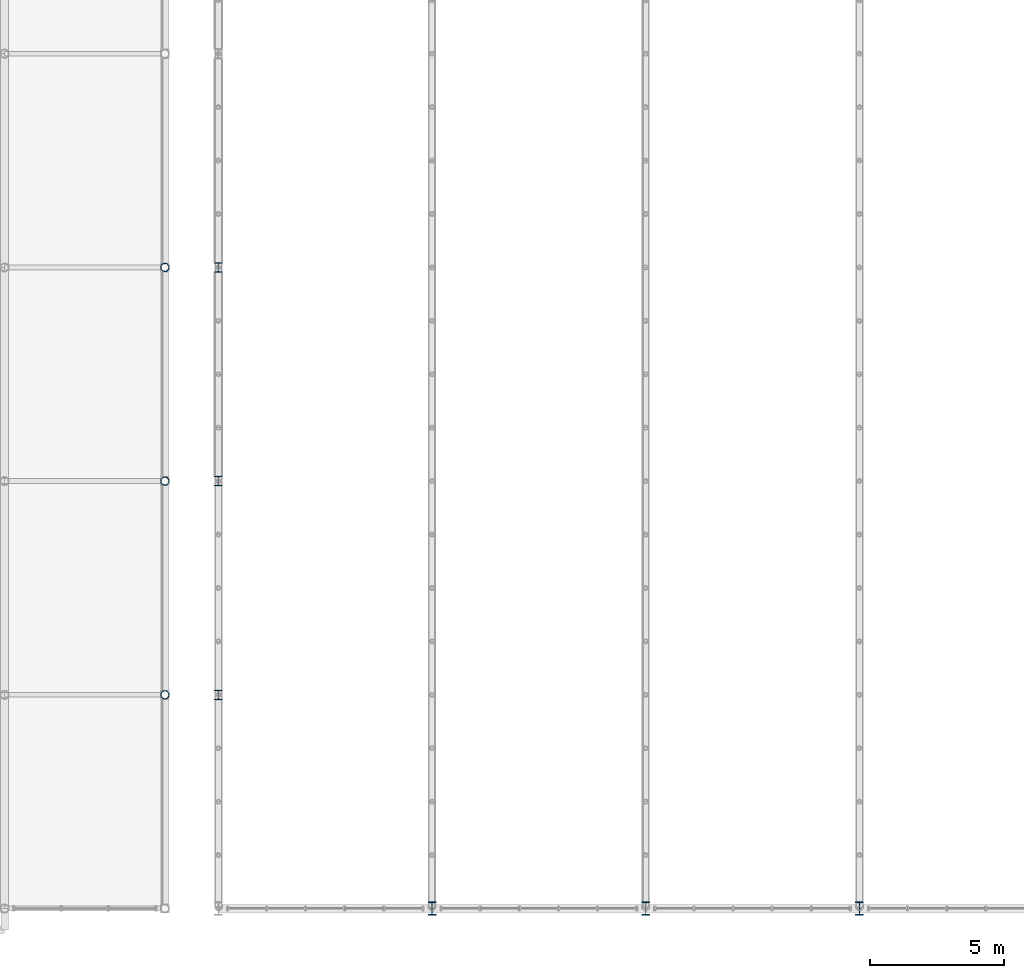
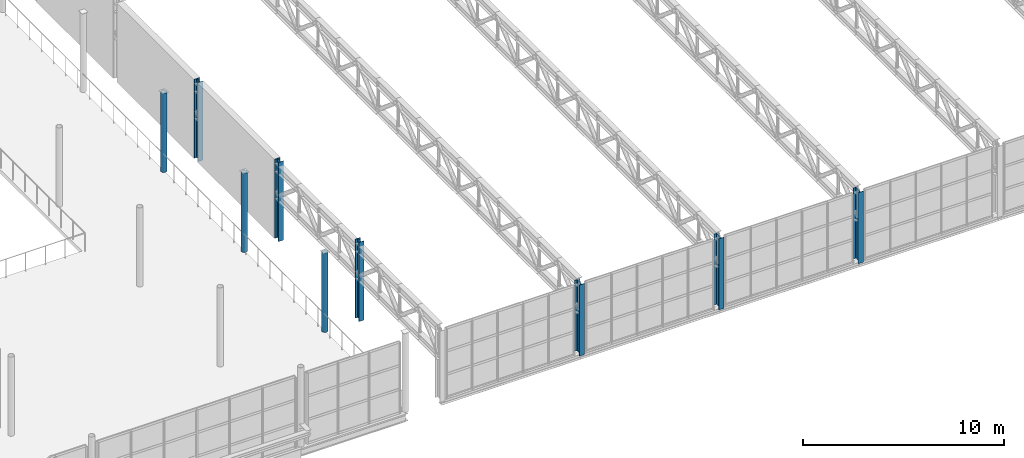
# One storey, part 6 of 143: 9 columns.
"""IFC4 building model written with IfcOpenShell, lengths in metres."""

import ifcopenshell
import ifcopenshell.guid

model = None  # the IFC model being written
_history = None  # IfcOwnerHistory: only IFC2X3 demands one
_inside = {}  # id of a spatial element -> (the spatial element, [elements in it])
_under = {}  # id of a project, library or spatial element -> (it, [spatial elements below it])
_declared = {}  # id of a project -> (the project, [libraries it declares])
_typed = {}  # id of a type object -> (the type object, [elements of that type])
_made_of = {}  # id of a material, layer set ... -> (it, [elements and type objects made of it])


def new_model(schema):
    """Start an empty IFC model of exactly this schema.

    Asked for "IFC4X3", IfcOpenShell would pick the latest addendum, in which some entities
    have other attributes; the version numbers below select the first issue.
    IFC2X3 requires an IfcOwnerHistory on every rooted entity: one is made here for all.
    """
    global model, _history
    if schema == "IFC4X3":
        model = ifcopenshell.file(schema_version=(4, 3, 0, 0))
    else:
        model = ifcopenshell.file(schema=schema)
    _inside.clear()
    _under.clear()
    _declared.clear()
    _typed.clear()
    _made_of.clear()
    _history = None
    if model.schema == "IFC2X3":
        org = make("IfcOrganization", Name="unknown")
        user = make(
            "IfcPersonAndOrganization",
            ThePerson=make("IfcPerson", FamilyName="unknown"),
            TheOrganization=org,
        )
        app = make(
            "IfcApplication",
            ApplicationDeveloper=org,
            Version="unknown",
            ApplicationFullName="unknown",
            ApplicationIdentifier="unknown",
        )
        _history = make(
            "IfcOwnerHistory",
            OwningUser=user,
            OwningApplication=app,
            ChangeAction="ADDED",
            CreationDate=0,
        )
    return model


def make(cls, **values):
    """One entity of the class cls with the attributes given. An attribute that is None is left unset."""
    return model.create_entity(
        cls, **{name: value for name, value in values.items() if value is not None}
    )


def rooted(cls, **values):
    """An entity with a GlobalId (a new one), such as an element, a storey or a relation."""
    return make(cls, GlobalId=ifcopenshell.guid.new(), OwnerHistory=_history, **values)


def si_unit(unit_type, name, prefix=None):
    """IfcSIUnit, for example si_unit("LENGTHUNIT", "METRE", prefix="MILLI")."""
    return make("IfcSIUnit", UnitType=unit_type, Prefix=prefix, Name=name)


def derived_unit(unit_type, elements):
    """IfcDerivedUnit: a product of units, each with its exponent."""
    return make(
        "IfcDerivedUnit",
        Elements=[
            make("IfcDerivedUnitElement", Unit=unit, Exponent=power)
            for unit, power in elements
        ],
        UnitType=unit_type,
    )


def assignment(units):
    """IfcUnitAssignment: the units of a project."""
    return None if units is None else make("IfcUnitAssignment", Units=units)


def point(xyz):
    """IfcCartesianPoint."""
    return None if xyz is None else make("IfcCartesianPoint", Coordinates=xyz)


def direction(xyz):
    """IfcDirection."""
    return None if xyz is None else make("IfcDirection", DirectionRatios=xyz)


def frame(location, z_axis=None, x_axis=None):
    """IfcAxis2Placement3D, a coordinate frame: its origin and axes. An axis left out is left unset."""
    return make(
        "IfcAxis2Placement3D",
        Location=point(location),
        Axis=direction(z_axis),
        RefDirection=direction(x_axis),
    )


def frame_2d(location, x_axis=None):
    """IfcAxis2Placement2D, a coordinate frame in the plane: its origin and x axis."""
    return make(
        "IfcAxis2Placement2D", Location=point(location), RefDirection=direction(x_axis)
    )


def origin():
    """The frame at (0, 0, 0) with its axes left unset."""
    return frame((0.0, 0.0, 0.0))


def origin_2d():
    """The frame at (0, 0) in the plane with its x axis left unset."""
    return frame_2d((0.0, 0.0))


def place(relative_to, where):
    """IfcLocalPlacement: puts the frame where relative to a parent placement (None: the world)."""
    return make(
        "IfcLocalPlacement", PlacementRelTo=relative_to, RelativePlacement=where
    )


def context(
    kind, dimensions, precision=None, world=None, true_north=None, identifier=None
):
    """IfcGeometricRepresentationContext, for example the 3D "Model" context."""
    return make(
        "IfcGeometricRepresentationContext",
        ContextIdentifier=identifier,
        ContextType=kind,
        CoordinateSpaceDimension=dimensions,
        Precision=precision,
        WorldCoordinateSystem=world,
        TrueNorth=true_north,
    )


def subcontext(parent, identifier, kind, view, scale=None):
    """IfcGeometricRepresentationSubContext, for example "Body" below "Model"."""
    return make(
        "IfcGeometricRepresentationSubContext",
        ContextIdentifier=identifier,
        ContextType=kind,
        ParentContext=parent,
        TargetScale=scale,
        TargetView=view,
    )


def project(units=None, contexts=None):
    """IfcProject with its units and contexts."""
    return rooted(
        "IfcProject",
        Name="project",
        RepresentationContexts=contexts,
        UnitsInContext=assignment(units),
    )


def spatial(cls, under=None, at=None, **own):
    """A site, building, storey or space (cls), placed at a placement, below another one or the project."""
    s = rooted(cls, ObjectPlacement=at, **own)
    if under is not None:
        _under.setdefault(under.id(), (under, []))[1].append(s)
    return s


def profile(cls, at=None, kind="AREA", **sizes):
    """A parametric profile (cls). Its sizes go by their IFC names, for example OverallWidth=200.0."""
    return make(cls, ProfileType=kind, Position=at, **sizes)


def hollow_circle(**sizes):
    """IfcCircleHollowProfileDef."""
    return profile("IfcCircleHollowProfileDef", **sizes)


def i_section(**sizes):
    """IfcIShapeProfileDef."""
    return profile("IfcIShapeProfileDef", **sizes)


def extrude(swept, where, along, depth):
    """IfcExtrudedAreaSolid: the profile swept, set in the frame where, extruded along a direction by depth."""
    return make(
        "IfcExtrudedAreaSolid",
        SweptArea=swept,
        Position=where,
        ExtrudedDirection=direction(along),
        Depth=depth,
    )


def shape(context_of_items, identifier, shape_type, items):
    """IfcShapeRepresentation: the items that make up one representation, for example the "Body"."""
    return make(
        "IfcShapeRepresentation",
        ContextOfItems=context_of_items,
        RepresentationIdentifier=identifier,
        RepresentationType=shape_type,
        Items=items,
    )


def material(Name=None, Category=None):
    """IfcMaterial."""
    return make("IfcMaterial", Name=Name, Category=Category)


def material_profile(
    of_material, cross_section, Name=None, Category=None, Priority=None
):
    """IfcMaterialProfile: a cross section and its material."""
    return make(
        "IfcMaterialProfile",
        Name=Name,
        Material=of_material,
        Profile=cross_section,
        Priority=Priority,
        Category=Category,
    )


def profile_set(profiles, Name=None, composite=None):
    """IfcMaterialProfileSet."""
    return make(
        "IfcMaterialProfileSet",
        Name=Name,
        MaterialProfiles=profiles,
        CompositeProfile=composite,
    )


def made_of(thing, what):
    """Note that an element or type object is made of a material, layer set ...; save() writes the relation."""
    if what is not None:
        _made_of.setdefault(what.id(), (what, []))[1].append(thing)
    return thing


def type_object(cls, material=None, **own):
    """A type object (cls), such as IfcWallType, which elements share."""
    return made_of(rooted(cls, **own), material)


def element(
    cls,
    number,
    at=None,
    inside=None,
    cuts=None,
    type_object=None,
    material=None,
    context=None,
    identifier="Body",
    shape_type=None,
    held_by="IfcProductDefinitionShape",
    body=None,
    shapes=None,
    **own,
):
    """One element of the class cls, such as IfcWall. Its Tag is "e" and its number.

    at: its placement. inside: the storey or other place that contains it. cuts: it is an
    opening in that element (IfcRelVoidsElement). A single representation is given by context,
    identifier, shape_type and body (its items); several are given by shapes. held_by: the class
    of the entity that holds the representations. save() writes the other relations.
    """
    e = rooted(cls, Tag="e%d" % number, ObjectPlacement=at, **own)
    if body is not None:
        shapes = [shape(context, identifier, shape_type, body)]
    if shapes is not None:
        e.Representation = make(held_by, Representations=shapes)
    if inside is not None:
        _inside.setdefault(inside.id(), (inside, []))[1].append(e)
    if cuts is not None:
        rooted(
            "IfcRelVoidsElement", RelatingBuildingElement=cuts, RelatedOpeningElement=e
        )
    if type_object is not None:
        _typed.setdefault(type_object.id(), (type_object, []))[1].append(e)
    return made_of(e, material)


def aggregate(whole, parts):
    """IfcRelAggregates: a whole, such as a stair, and the parts it consists of."""
    return rooted("IfcRelAggregates", RelatingObject=whole, RelatedObjects=parts)


def save(model, path):
    """Write the relations noted so far, then the file.

    IfcRelAggregates (storeys below a building ...), IfcRelContainedInSpatialStructure (elements
    in a storey), IfcRelDefinesByType, IfcRelAssociatesMaterial and IfcRelDeclares: one each for
    every whole, place, type object, material and project.
    """
    for whole, parts in _under.values():
        aggregate(whole, parts)
    for where, things in _inside.values():
        rooted(
            "IfcRelContainedInSpatialStructure",
            RelatedElements=things,
            RelatingStructure=where,
        )
    for kind, things in _typed.values():
        rooted("IfcRelDefinesByType", RelatedObjects=things, RelatingType=kind)
    for what, things in _made_of.values():
        rooted("IfcRelAssociatesMaterial", RelatedObjects=things, RelatingMaterial=what)
    for by, libraries in _declared.values():
        rooted("IfcRelDeclares", RelatingContext=by, RelatedDefinitions=libraries)
    model.write(path)


model = new_model("IFC4")

# Units and contexts
model_context = context("Model", 3, precision=1e-05, world=origin(), true_north=direction((0.0, 1.0)))
body_context = subcontext(model_context, "Body", "Model", "MODEL_VIEW")
ifc_project = project(units=[si_unit("LENGTHUNIT", "METRE"), si_unit("AREAUNIT", "SQUARE_METRE"), si_unit("VOLUMEUNIT", "CUBIC_METRE"), si_unit("PLANEANGLEUNIT", "RADIAN"), si_unit("MASSUNIT", "GRAM", prefix="KILO"), derived_unit("THERMALTRANSMITTANCEUNIT", [(si_unit("POWERUNIT", "WATT"), 1), (si_unit("LENGTHUNIT", "METRE"), -2), (si_unit("THERMODYNAMICTEMPERATUREUNIT", "KELVIN"), -1)])], contexts=[model_context])

# Site, building, storey
site_placement = place(None, origin())
site = spatial("IfcSite", under=ifc_project, at=site_placement, CompositionType="ELEMENT")
building_placement = place(site_placement, origin())
building = spatial("IfcBuilding", under=site, at=building_placement, Name="Keldorne Ridge Multi-Sports Centre", CompositionType="ELEMENT")
storey_placement = place(building_placement, frame((0.0, 0.0, 4.800048828125)))
storey = spatial("IfcBuildingStorey", under=building, at=storey_placement, Name="L01", CompositionType="ELEMENT", Elevation=4.800048828125)

# Columns
ifc_material = material(Name="Steel S355", Category="steel")
ifc_material_profile_1 = material_profile(ifc_material, i_section(OverallWidth=0.300048828125, OverallDepth=0.5, WebThickness=0.014404296875, FlangeThickness=0.028076171875, FilletRadius=0.027099609375, at=origin_2d()), Name="HEB 500")
ifc_profile_set_1 = profile_set([ifc_material_profile_1], Name="Steel S355")
column_type_1 = type_object("IfcColumnType", Name="COL-C-05", PredefinedType="COLUMN", material=ifc_profile_set_1)
for number, where, z_axis, x_axis, name in (
    (1, (112.0, 6.0, 0.0), (0.0, 0.0, 1.0), (1.0, 0.0, 0.0), "Structural column V2-TRUSS-S-02 on L01"),
    (2, (120.0, 6.0, 0.0), (0.0, 0.0, 1.0), (1.0, 0.0, 0.0), "Structural column V2-TRUSS-S-03 on L01"),
    (3, (128.0, 6.0, 0.0), (0.0, 0.0, 1.0), (1.0, 0.0, 0.0), "Structural column V2-TRUSS-S-04 on L01"),
):
    element("IfcColumn", number, at=place(storey_placement, frame(where, z_axis=z_axis, x_axis=x_axis)), inside=storey, type_object=column_type_1, Name=name, PredefinedType="COLUMN", context=body_context, shape_type="SweptSolid", body=[
        extrude(i_section(OverallWidth=0.300048828125, OverallDepth=0.5, WebThickness=0.014404296875, FlangeThickness=0.028076171875, FilletRadius=0.027099609375, at=origin_2d()), origin(), (0.0, 0.0, 1.0), 4.31005859375),
    ])
ifc_material_profile_2 = material_profile(ifc_material, hollow_circle(Radius=0.161865234375, WallThickness=0.01611328125, at=origin_2d()), Name="CHS 323.9x16")
ifc_profile_set_2 = profile_set([ifc_material_profile_2], Name="Steel S355")
column_type_2 = type_object("IfcColumnType", Name="COL-C-08", PredefinedType="COLUMN", material=ifc_profile_set_2)
for number, where, z_axis, x_axis, name in (
    (4, (102.0, 14.0, 0.0), (0.0, 0.0, 1.0), (1.0, 0.0, 0.0), "Structural column V4-G15-02 on L01"),
    (5, (102.0, 22.0, 0.0), (0.0, 0.0, 1.0), (1.0, 0.0, 0.0), "Structural column V4-G15-03 on L01"),
    (6, (102.0, 30.0, 0.0), (0.0, 0.0, 1.0), (1.0, 0.0, 0.0), "Structural column V4-G15-04 on L01"),
):
    element("IfcColumn", number, at=place(storey_placement, frame(where, z_axis=z_axis, x_axis=x_axis)), inside=storey, type_object=column_type_2, Name=name, PredefinedType="COLUMN", context=body_context, shape_type="SweptSolid", body=[
        extrude(hollow_circle(Radius=0.161865234375, WallThickness=0.01611328125, at=origin_2d()), origin(), (0.0, 0.0, 1.0), 4.800048828125),
    ])
ifc_material_profile_3 = material_profile(ifc_material, i_section(OverallWidth=0.300048828125, OverallDepth=0.360107421875, WebThickness=0.012451171875, FlangeThickness=0.0224609375, FilletRadius=0.027099609375, at=origin_2d()), Name="HEB 360")
ifc_profile_set_3 = profile_set([ifc_material_profile_3], Name="Steel S355")
column_type_3 = type_object("IfcColumnType", Name="COL-C-10", PredefinedType="COLUMN", material=ifc_profile_set_3)
for number, where, z_axis, x_axis, name in (
    (7, (104.0, 14.0, 0.0), (0.0, 0.0, 1.0), (1.0, 0.0, 0.0), "Structural column V2-GABLE-W-01 on L01"),
    (8, (104.0, 22.0, 0.0), (0.0, 0.0, 1.0), (1.0, 0.0, 0.0), "Structural column V2-GABLE-W-02 on L01"),
    (9, (104.0, 30.0, 0.0), (0.0, 0.0, 1.0), (1.0, 0.0, 0.0), "Structural column V2-GABLE-W-03 on L01"),
):
    element("IfcColumn", number, at=place(storey_placement, frame(where, z_axis=z_axis, x_axis=x_axis)), inside=storey, type_object=column_type_3, Name=name, PredefinedType="COLUMN", context=body_context, shape_type="SweptSolid", body=[
        extrude(i_section(OverallWidth=0.300048828125, OverallDepth=0.360107421875, WebThickness=0.012451171875, FlangeThickness=0.0224609375, FilletRadius=0.027099609375, at=origin_2d()), origin(), (0.0, 0.0, 1.0), 4.800048828125),
    ])

save(model, "model.ifc")
